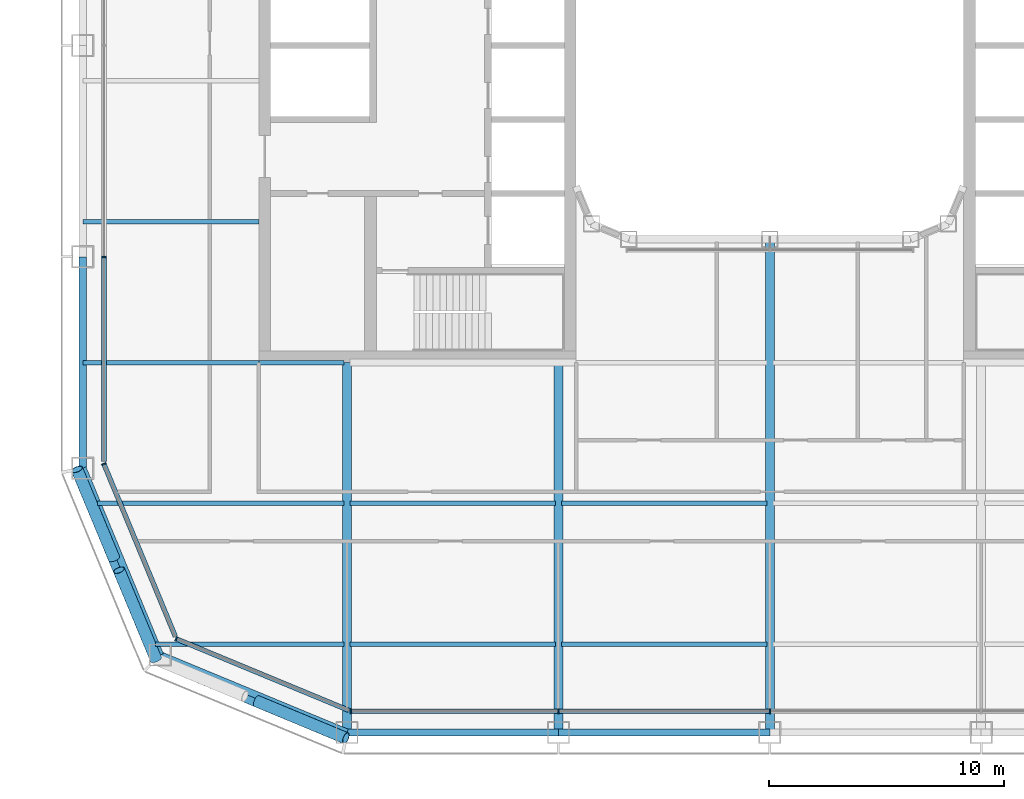
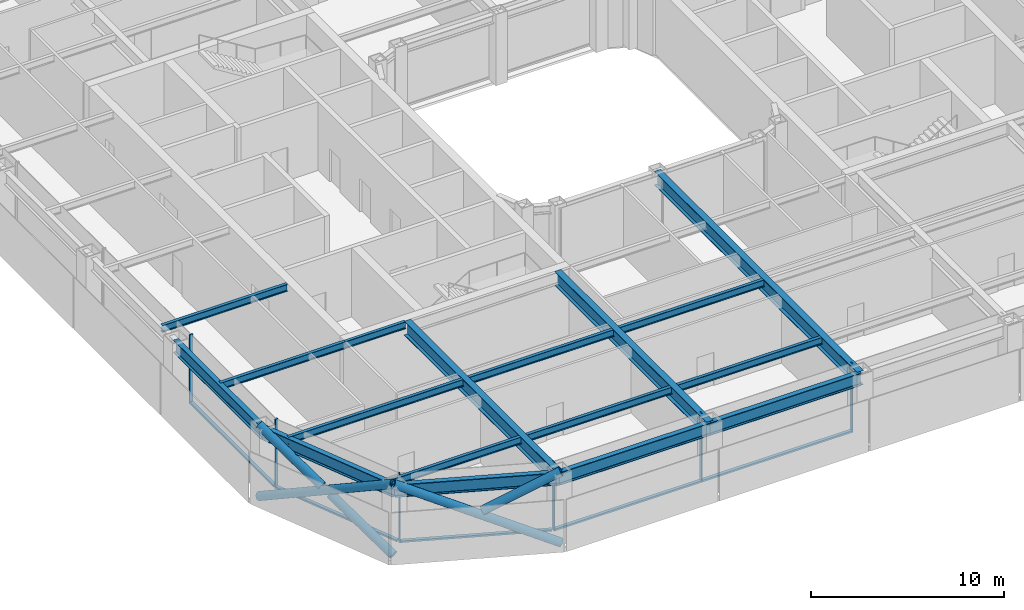
# One storey, part 2 of 23: 17 beams, 16 members, 4 elements without a shape of their own.
"""IFC4 building model written with IfcOpenShell, lengths in metres."""

from ifc_helpers import new_model, si_unit, direction, frame, origin, origin_2d, place, context, subcontext, project, spatial, rectangle, hollow_circle, i_section, extrude, material, layer, layer_set, material_profile, profile_set, type_object, element, aggregate, save


model = new_model("IFC4")

# Units and contexts
model_context = context("Model", 3, precision=1e-05, world=origin(), true_north=direction((0.0, 1.0)))
body_context = subcontext(model_context, "Body", "Model", "MODEL_VIEW")
ifc_project = project(units=[si_unit("LENGTHUNIT", "METRE"), si_unit("AREAUNIT", "SQUARE_METRE"), si_unit("VOLUMEUNIT", "CUBIC_METRE"), si_unit("PLANEANGLEUNIT", "RADIAN"), si_unit("MASSUNIT", "GRAM", prefix="KILO")], contexts=[model_context])

# Site, building, storey
site_placement = place(None, origin())
site = spatial("IfcSite", under=ifc_project, at=site_placement, CompositionType="ELEMENT")
building_placement = place(site_placement, origin())
building = spatial("IfcBuilding", under=site, at=building_placement, Name="Siwar Civic Tower", CompositionType="ELEMENT")
storey_placement = place(building_placement, frame((0.0, 0.0, 136.199951171875)))
storey = spatial("IfcBuildingStorey", under=building, at=storey_placement, Name="L29", CompositionType="ELEMENT", Elevation=136.199951171875)

# Curtain wall, members
ifc_material_1 = material(Name="Aluminium and glass", Category="aluminium")
ifc_layer_1 = layer(ifc_material_1, 0.199951171875)
ifc_layer_set_1 = layer_set([ifc_layer_1], Name="Aluminium and glass")
curtain_wall_type_1 = type_object("IfcCurtainWallType", Name="ENV-CW-B", PredefinedType="NOTDEFINED", material=ifc_layer_set_1)
curtain_wall_1_placement = place(storey_placement, origin())
curtain_wall_1 = element("IfcCurtainWall", 1, at=curtain_wall_1_placement, inside=storey, type_object=curtain_wall_type_1, Name="Curtain wall B S", PredefinedType="NOTDEFINED")
ifc_material_2 = material(Name="Aluminium 6063-T6", Category="aluminium")
ifc_material_profile_1 = material_profile(ifc_material_2, rectangle(XDim=0.199951171875, YDim=0.06494140625, at=origin_2d()), Name="AL 200x65")
ifc_profile_set_1 = profile_set([ifc_material_profile_1], Name="Aluminium 6063-T6")
member_type_1 = type_object("IfcMemberType", Name="ENV-MULLION-B", PredefinedType="MULLION", material=ifc_profile_set_1)
member_1_placement = place(storey_placement, frame((-17.821044921875, -28.35009765625, 0.0), z_axis=(0.0, 0.0, 1.0), x_axis=(0.0, 1.0, 0.0)))
member_1 = element("IfcMember", 2, at=member_1_placement, type_object=member_type_1, Name="Mullion B S 1", PredefinedType="MULLION", context=body_context, shape_type="SweptSolid", body=[
    extrude(rectangle(XDim=0.199951171875, YDim=0.06494140625, at=origin_2d()), origin(), (0.0, 0.0, 1.0), 4.35009765625),
])
member_2_placement = place(storey_placement, frame((-9.0, -28.35009765625, 0.0), z_axis=(0.0, 0.0, 1.0), x_axis=(0.0, 1.0, 0.0)))
member_2 = element("IfcMember", 3, at=member_2_placement, type_object=member_type_1, Name="Mullion B S 2", PredefinedType="MULLION", context=body_context, shape_type="SweptSolid", body=[
    extrude(rectangle(XDim=0.199951171875, YDim=0.06494140625, at=origin_2d()), origin(), (0.0, 0.0, 1.0), 4.35009765625),
])
member_3_placement = place(storey_placement, frame((0.0, -28.35009765625, 0.0), z_axis=(0.0, 0.0, 1.0), x_axis=(0.0, 1.0, 0.0)))
member_3 = element("IfcMember", 4, at=member_3_placement, type_object=member_type_1, Name="Mullion B S 3", PredefinedType="MULLION", context=body_context, shape_type="SweptSolid", body=[
    extrude(rectangle(XDim=0.199951171875, YDim=0.06494140625, at=origin_2d()), origin(), (0.0, 0.0, 1.0), 4.35009765625),
])

# Curtain wall, member
curtain_wall_2_placement = place(storey_placement, origin())
curtain_wall_2 = element("IfcCurtainWall", 5, at=curtain_wall_2_placement, inside=storey, type_object=curtain_wall_type_1, Name="Curtain wall B W", PredefinedType="NOTDEFINED")
member_4_placement = place(storey_placement, frame((-28.35009765625, -9.0, 0.0), z_axis=(0.0, 0.0, 1.0), x_axis=(1.0, 0.0, 0.0)))
member_4 = element("IfcMember", 6, at=member_4_placement, type_object=member_type_1, Name="Mullion B W 4", PredefinedType="MULLION", context=body_context, shape_type="SweptSolid", body=[
    extrude(rectangle(XDim=0.199951171875, YDim=0.06494140625, at=origin_2d()), origin(), (0.0, 0.0, 1.0), 4.35009765625),
])

ifc_material_3 = material(Name="Aluminium clad insulated panel", Category="aluminium")
ifc_layer_2 = layer(ifc_material_3, 0.199951171875)
ifc_layer_set_2 = layer_set([ifc_layer_2], Name="Aluminium clad insulated panel")
curtain_wall_type_2 = type_object("IfcCurtainWallType", Name="ENV-CW-BX", PredefinedType="NOTDEFINED", material=ifc_layer_set_2)
curtain_wall_3_placement = place(storey_placement, origin())
curtain_wall_3 = element("IfcCurtainWall", 7, at=curtain_wall_3_placement, inside=storey, type_object=curtain_wall_type_2, Name="Curtain wall B SW1", PredefinedType="NOTDEFINED")
member_5_placement = place(storey_placement, frame((-28.35009765625, -17.821044921875, 0.0), z_axis=(0.0, 0.0, 1.0), x_axis=(0.923879532511, 0.382683432365, 0.0)))
member_5 = element("IfcMember", 8, at=member_5_placement, type_object=member_type_1, Name="Mullion B SW1 1", PredefinedType="MULLION", context=body_context, shape_type="SweptSolid", body=[
    extrude(rectangle(XDim=0.199951171875, YDim=0.06494140625, at=origin_2d()), origin(), (0.0, 0.0, 1.0), 4.35009765625),
])

curtain_wall_4_placement = place(storey_placement, origin())
curtain_wall_4 = element("IfcCurtainWall", 9, at=curtain_wall_4_placement, inside=storey, type_object=curtain_wall_type_2, Name="Curtain wall B SW2", PredefinedType="NOTDEFINED")
member_6_placement = place(storey_placement, frame((-25.26611328125, -25.26611328125, 0.0), z_axis=(0.0, 0.0, 1.0), x_axis=(0.382683432365, 0.923879532511, 0.0)))
member_6 = element("IfcMember", 10, at=member_6_placement, type_object=member_type_1, Name="Mullion B SW2 1", PredefinedType="MULLION", context=body_context, shape_type="SweptSolid", body=[
    extrude(rectangle(XDim=0.199951171875, YDim=0.06494140625, at=origin_2d()), origin(), (0.0, 0.0, 1.0), 4.35009765625),
])

# Member
ifc_material_4 = material(Name="Aluminium 6063-T6", Category="aluminium")
ifc_material_profile_2 = material_profile(ifc_material_4, rectangle(XDim=0.199951171875, YDim=0.110107421875, at=origin_2d()), Name="AL 200x110")
ifc_profile_set_2 = profile_set([ifc_material_profile_2], Name="Aluminium 6063-T6")
member_type_2 = type_object("IfcMemberType", Name="ENV-TRANSOM-B", PredefinedType="USERDEFINED", material=ifc_profile_set_2)
member_7_placement = place(storey_placement, frame((-17.78857421875, -28.35009765625, 0.054931640625), z_axis=(1.0, 0.0, 0.0), x_axis=(0.0, 1.0, 0.0)))
member_7 = element("IfcMember", 11, at=member_7_placement, type_object=member_type_2, Name="Transom B S 1", ObjectType="TRANSOM", PredefinedType="USERDEFINED", context=body_context, shape_type="SweptSolid", body=[
    extrude(rectangle(XDim=0.199951171875, YDim=0.110107421875, at=origin_2d()), origin(), (0.0, 0.0, 1.0), 8.756103515625),
])

member_8_placement = place(storey_placement, frame((-8.967529296875, -28.35009765625, 0.054931640625), z_axis=(1.0, 0.0, 0.0), x_axis=(0.0, 1.0, 0.0)))
member_8 = element("IfcMember", 12, at=member_8_placement, type_object=member_type_2, Name="Transom B S 2", ObjectType="TRANSOM", PredefinedType="USERDEFINED", context=body_context, shape_type="SweptSolid", body=[
    extrude(rectangle(XDim=0.199951171875, YDim=0.110107421875, at=origin_2d()), origin(), (0.0, 0.0, 1.0), 8.93505859375),
])

aggregate(curtain_wall_1, [member_1, member_2, member_3, member_7, member_8])

member_9_placement = place(storey_placement, frame((-28.35009765625, -9.032470703125, 0.054931640625), z_axis=(0.0, -1.0, 0.0), x_axis=(1.0, 0.0, 0.0)))
member_9 = element("IfcMember", 13, at=member_9_placement, type_object=member_type_2, Name="Transom B W 4", ObjectType="TRANSOM", PredefinedType="USERDEFINED", context=body_context, shape_type="SweptSolid", body=[
    extrude(rectangle(XDim=0.199951171875, YDim=0.110107421875, at=origin_2d()), origin(), (0.0, 0.0, 1.0), 8.6748046875),
])

aggregate(curtain_wall_2, [member_4, member_9])

member_10_placement = place(storey_placement, frame((-28.337646484375, -17.85107421875, 0.054931640625), z_axis=(0.382699695651, -0.92387279587, 0.0), x_axis=(0.92387279587, 0.382699695651, 0.0)))
member_10 = element("IfcMember", 14, at=member_10_placement, type_object=member_type_2, Name="Transom B SW1 1", ObjectType="TRANSOM", PredefinedType="USERDEFINED", context=body_context, shape_type="SweptSolid", body=[
    extrude(rectangle(XDim=0.199951171875, YDim=0.110107421875, at=origin_2d()), origin(), (0.0, 0.0, 1.0), 7.912353515625),
])

aggregate(curtain_wall_3, [member_5, member_10])

member_11_placement = place(storey_placement, frame((-25.236083984375, -25.278564453125, 0.054931640625), z_axis=(0.923883705044, -0.382673358825, 0.0), x_axis=(0.382673358825, 0.923883705044, 0.0)))
member_11 = element("IfcMember", 15, at=member_11_placement, type_object=member_type_2, Name="Transom B SW2 1", ObjectType="TRANSOM", PredefinedType="USERDEFINED", context=body_context, shape_type="SweptSolid", body=[
    extrude(rectangle(XDim=0.199951171875, YDim=0.110107421875, at=origin_2d()), origin(), (0.0, 0.0, 1.0), 7.912353515625),
])

aggregate(curtain_wall_4, [member_6, member_11])

# Members
ifc_material_5 = material(Name="Steel S355", Category="steel")
ifc_material_profile_3 = material_profile(ifc_material_5, hollow_circle(Radius=0.25390625, WallThickness=0.02490234375, at=origin_2d()), Name="CHS508x25")
ifc_profile_set_3 = profile_set([ifc_material_profile_3], Name="Steel S355")
member_type_3 = type_object("IfcMemberType", Name="STR-BR-CHS508x25", PredefinedType="BRACE", material=ifc_profile_set_3)
member_12_placement = place(storey_placement, frame((-18.048828125, -29.4951171875, 0.0), z_axis=(-0.821142553604, 0.341671493852, 0.457149315816), x_axis=(-0.384163874976, -0.923264922524, 0.0)))
element("IfcMember", 16, at=member_12_placement, inside=storey, type_object=member_type_3, Name="L29/brc/BSW1-8-0-1", PredefinedType="BRACE", context=body_context, shape_type="SweptSolid", body=[
    extrude(hollow_circle(Radius=0.25390625, WallThickness=0.02490234375, at=origin_2d()), origin(), (0.0, 0.0, 1.0), 9.843505859375),
])
member_13_placement = place(storey_placement, frame((-21.837890625, -27.91845703125, 2.390625), z_axis=(0.821145902409, -0.34168558233, 0.457132770413), x_axis=(0.384176042158, 0.923259859753, 0.0)))
element("IfcMember", 17, at=member_13_placement, inside=storey, type_object=member_type_3, Name="L29/brc/BSW1-8-0-3", PredefinedType="BRACE", context=body_context, shape_type="SweptSolid", body=[
    extrude(hollow_circle(Radius=0.25390625, WallThickness=0.02490234375, at=origin_2d()), origin(), (0.0, 0.0, 1.0), 4.6142578125),
])
member_14_placement = place(storey_placement, frame((-29.4951171875, -18.048828125, 0.0), z_axis=(0.341671493852, -0.821142553604, 0.457149315816), x_axis=(0.923264922524, 0.384163874976, 0.0)))
element("IfcMember", 18, at=member_14_placement, inside=storey, type_object=member_type_3, Name="L29/brc/BSW1-8-0-0", PredefinedType="BRACE", context=body_context, shape_type="SweptSolid", body=[
    extrude(hollow_circle(Radius=0.25390625, WallThickness=0.02490234375, at=origin_2d()), origin(), (0.0, 0.0, 1.0), 9.843505859375),
])
member_15_placement = place(storey_placement, frame((-26.1318359375, -26.1318359375, 0.0), z_axis=(-0.341662474736, 0.821143275065, 0.457154760636), x_axis=(-0.923268638995, -0.384154943021, 0.0)))
element("IfcMember", 19, at=member_15_placement, inside=storey, type_object=member_type_3, Name="L29/brc/BSW1-8-0-4", PredefinedType="BRACE", context=body_context, shape_type="SweptSolid", body=[
    extrude(hollow_circle(Radius=0.25390625, WallThickness=0.02490234375, at=origin_2d()), origin(), (0.0, 0.0, 1.0), 4.61474609375),
])
member_16_placement = place(storey_placement, frame((-27.91845703125, -21.837890625, 2.390625), z_axis=(-0.34168558233, 0.821145902409, 0.457132770413), x_axis=(-0.923259859753, -0.384176042158, 0.0)))
element("IfcMember", 20, at=member_16_placement, inside=storey, type_object=member_type_3, Name="L29/brc/BSW1-8-0-5", PredefinedType="BRACE", context=body_context, shape_type="SweptSolid", body=[
    extrude(hollow_circle(Radius=0.25390625, WallThickness=0.02490234375, at=origin_2d()), origin(), (0.0, 0.0, 1.0), 4.6142578125),
])

# Beams
ifc_material_6 = material(Name="Steel S355", Category="steel")
ifc_material_profile_4 = material_profile(ifc_material_6, i_section(OverallWidth=0.18994140625, OverallDepth=0.449951171875, WebThickness=0.009521484375, FlangeThickness=0.0146484375, FilletRadius=0.02099609375, at=origin_2d()), Name="IPE450")
ifc_profile_set_4 = profile_set([ifc_material_profile_4], Name="Steel S355")
beam_type_1 = type_object("IfcBeamType", Name="STR-FB-IPE450", PredefinedType="JOIST", material=ifc_profile_set_4)
beam_1_placement = place(storey_placement, frame((-26.143310546875, -25.5, 4.125), z_axis=(1.0, 0.0, 0.0), x_axis=(0.0, 1.0, 0.0)))
element("IfcBeam", 21, at=beam_1_placement, inside=storey, type_object=beam_type_1, Name="L29/bm/F001", PredefinedType="JOIST", context=body_context, shape_type="SweptSolid", body=[
    extrude(i_section(OverallWidth=0.18994140625, OverallDepth=0.449951171875, WebThickness=0.009521484375, FlangeThickness=0.0146484375, FilletRadius=0.02099609375, at=origin_2d()), origin(), (0.0, 0.0, 1.0), 8.013427734375),
])
for number, where, z_axis, x_axis, name in (
    (22, (-17.8701171875, -25.5, 4.125), (1.0, 0.0, 0.0), (0.0, 1.0, 0.0), "L29/bm/F002"),
    (23, (-8.8701171875, -25.5, 4.125), (1.0, 0.0, 0.0), (0.0, 1.0, 0.0), "L29/bm/F003"),
):
    element("IfcBeam", number, at=place(storey_placement, frame(where, z_axis=z_axis, x_axis=x_axis)), inside=storey, type_object=beam_type_1, Name=name, PredefinedType="JOIST", context=body_context, shape_type="SweptSolid", body=[
        extrude(i_section(OverallWidth=0.18994140625, OverallDepth=0.449951171875, WebThickness=0.009521484375, FlangeThickness=0.0146484375, FilletRadius=0.02099609375, at=origin_2d()), origin(), (0.0, 0.0, 1.0), 8.740234375),
    ])
beam_2_placement = place(storey_placement, frame((-28.628662109375, -19.5, 4.125), z_axis=(1.0, 0.0, 0.0), x_axis=(0.0, 1.0, 0.0)))
element("IfcBeam", 24, at=beam_2_placement, inside=storey, type_object=beam_type_1, Name="L29/bm/F007", PredefinedType="JOIST", context=body_context, shape_type="SweptSolid", body=[
    extrude(i_section(OverallWidth=0.18994140625, OverallDepth=0.449951171875, WebThickness=0.009521484375, FlangeThickness=0.0146484375, FilletRadius=0.02099609375, at=origin_2d()), origin(), (0.0, 0.0, 1.0), 10.498779296875),
])
for number, where, z_axis, x_axis, name in (
    (25, (-17.8701171875, -19.5, 4.125), (1.0, 0.0, 0.0), (0.0, 1.0, 0.0), "L29/bm/F008"),
    (26, (-8.8701171875, -19.5, 4.125), (1.0, 0.0, 0.0), (0.0, 1.0, 0.0), "L29/bm/F009"),
):
    element("IfcBeam", number, at=place(storey_placement, frame(where, z_axis=z_axis, x_axis=x_axis)), inside=storey, type_object=beam_type_1, Name=name, PredefinedType="JOIST", context=body_context, shape_type="SweptSolid", body=[
        extrude(i_section(OverallWidth=0.18994140625, OverallDepth=0.449951171875, WebThickness=0.009521484375, FlangeThickness=0.0146484375, FilletRadius=0.02099609375, at=origin_2d()), origin(), (0.0, 0.0, 1.0), 8.740234375),
    ])
beam_3_placement = place(storey_placement, frame((-29.25, -13.5, 4.125), z_axis=(1.0, 0.0, 0.0), x_axis=(0.0, 1.0, 0.0)))
element("IfcBeam", 27, at=beam_3_placement, inside=storey, type_object=beam_type_1, Name="L29/bm/F013", PredefinedType="JOIST", context=body_context, shape_type="SweptSolid", body=[
    extrude(i_section(OverallWidth=0.18994140625, OverallDepth=0.449951171875, WebThickness=0.009521484375, FlangeThickness=0.0146484375, FilletRadius=0.02099609375, at=origin_2d()), origin(), (0.0, 0.0, 1.0), 7.5),
])
beam_4_placement = place(storey_placement, frame((-21.75, -13.5, 4.125), z_axis=(1.0, 0.0, 0.0), x_axis=(0.0, 1.0, 0.0)))
element("IfcBeam", 28, at=beam_4_placement, inside=storey, type_object=beam_type_1, Name="L29/bm/F014", PredefinedType="JOIST", context=body_context, shape_type="SweptSolid", body=[
    extrude(i_section(OverallWidth=0.18994140625, OverallDepth=0.449951171875, WebThickness=0.009521484375, FlangeThickness=0.0146484375, FilletRadius=0.02099609375, at=origin_2d()), origin(), (0.0, 0.0, 1.0), 3.6201171875),
])
beam_5_placement = place(storey_placement, frame((-29.25, -7.5, 4.125), z_axis=(1.0, 0.0, 0.0), x_axis=(0.0, 1.0, 0.0)))
element("IfcBeam", 29, at=beam_5_placement, inside=storey, type_object=beam_type_1, Name="L29/bm/F021", PredefinedType="JOIST", context=body_context, shape_type="SweptSolid", body=[
    extrude(i_section(OverallWidth=0.18994140625, OverallDepth=0.449951171875, WebThickness=0.009521484375, FlangeThickness=0.0146484375, FilletRadius=0.02099609375, at=origin_2d()), origin(), (0.0, 0.0, 1.0), 7.5),
])
ifc_material_7 = material(Name="Steel S355", Category="steel")
ifc_material_profile_5 = material_profile(ifc_material_7, i_section(OverallWidth=0.3798828125, OverallDepth=0.89990234375, WebThickness=0.01611328125, FlangeThickness=0.035888671875, at=origin_2d()), Name="PG900x380x16x36")
ifc_profile_set_5 = profile_set([ifc_material_profile_5], Name="Steel S355")
beam_type_2 = type_object("IfcBeamType", Name="STR-PG-PG900x380x16x36", PredefinedType="BEAM", material=ifc_profile_set_5)
for number, where, z_axis, x_axis, name in (
    (30, (-18.0, -29.25, 3.900146484375), (0.0, 1.0, 0.0), (-1.0, 0.0, 0.0), "L29/bm/G01"),
    (31, (-9.0, -29.25, 3.900146484375), (0.0, 1.0, 0.0), (-1.0, 0.0, 0.0), "L29/bm/G03"),
):
    element("IfcBeam", number, at=place(storey_placement, frame(where, z_axis=z_axis, x_axis=x_axis)), inside=storey, type_object=beam_type_2, Name=name, PredefinedType="BEAM", context=body_context, shape_type="SweptSolid", body=[
        extrude(i_section(OverallWidth=0.3798828125, OverallDepth=0.89990234375, WebThickness=0.01611328125, FlangeThickness=0.035888671875, at=origin_2d()), origin(), (0.0, 0.0, 1.0), 15.75),
    ])
beam_6_placement = place(storey_placement, frame((0.0, -29.25, 3.900146484375), z_axis=(0.0, 1.0, 0.0), x_axis=(-1.0, 0.0, 0.0)))
element("IfcBeam", 32, at=beam_6_placement, inside=storey, type_object=beam_type_2, Name="L29/bm/G05", PredefinedType="BEAM", context=body_context, shape_type="SweptSolid", body=[
    extrude(i_section(OverallWidth=0.3798828125, OverallDepth=0.89990234375, WebThickness=0.01611328125, FlangeThickness=0.035888671875, at=origin_2d()), origin(), (0.0, 0.0, 1.0), 21.0),
])
ifc_material_8 = material(Name="Steel S355", Category="steel")
ifc_material_profile_6 = material_profile(ifc_material_8, i_section(OverallWidth=0.300048828125, OverallDepth=0.800048828125, WebThickness=0.017578125, FlangeThickness=0.032958984375, FilletRadius=0.030029296875, at=origin_2d()), Name="HEB800")
ifc_profile_set_6 = profile_set([ifc_material_profile_6], Name="Steel S355")
beam_type_3 = type_object("IfcBeamType", Name="STR-SB-HEB800", PredefinedType="BEAM", material=ifc_profile_set_6)
for number, where, z_axis, x_axis, name in (
    (33, (-18.0, -29.25, 3.949951171875), (1.0, 0.0, 0.0), (0.0, 1.0, 0.0), "L29/bm/SS-0"),
    (34, (-9.0, -29.25, 3.949951171875), (1.0, 0.0, 0.0), (0.0, 1.0, 0.0), "L29/bm/SS-1"),
    (35, (-29.25, -9.0, 3.949951171875), (0.0, -1.0, 0.0), (1.0, 0.0, 0.0), "L29/bm/SW-3"),
):
    element("IfcBeam", number, at=place(storey_placement, frame(where, z_axis=z_axis, x_axis=x_axis)), inside=storey, type_object=beam_type_3, Name=name, PredefinedType="BEAM", context=body_context, shape_type="SweptSolid", body=[
        extrude(i_section(OverallWidth=0.300048828125, OverallDepth=0.800048828125, WebThickness=0.017578125, FlangeThickness=0.032958984375, FilletRadius=0.030029296875, at=origin_2d()), origin(), (0.0, 0.0, 1.0), 9.0),
    ])
for number, where, z_axis, x_axis, name in (
    (36, (-29.25, -18.0, 3.949951171875), (0.382699877515, -0.923872720536, 0.0), (0.923872720536, 0.382699877515, 0.0), "L29/bm/SSW1-0"),
    (37, (-25.954833984375, -25.954833984375, 3.949951171875), (0.923872720536, -0.382699877515, 0.0), (0.382699877515, 0.923872720536, 0.0), "L29/bm/SSW2-0"),
):
    element("IfcBeam", number, at=place(storey_placement, frame(where, z_axis=z_axis, x_axis=x_axis)), inside=storey, type_object=beam_type_3, Name=name, PredefinedType="BEAM", context=body_context, shape_type="SweptSolid", body=[
        extrude(i_section(OverallWidth=0.300048828125, OverallDepth=0.800048828125, WebThickness=0.017578125, FlangeThickness=0.032958984375, FilletRadius=0.030029296875, at=origin_2d()), origin(), (0.0, 0.0, 1.0), 8.6103515625),
    ])

save(model, "model.ifc")
